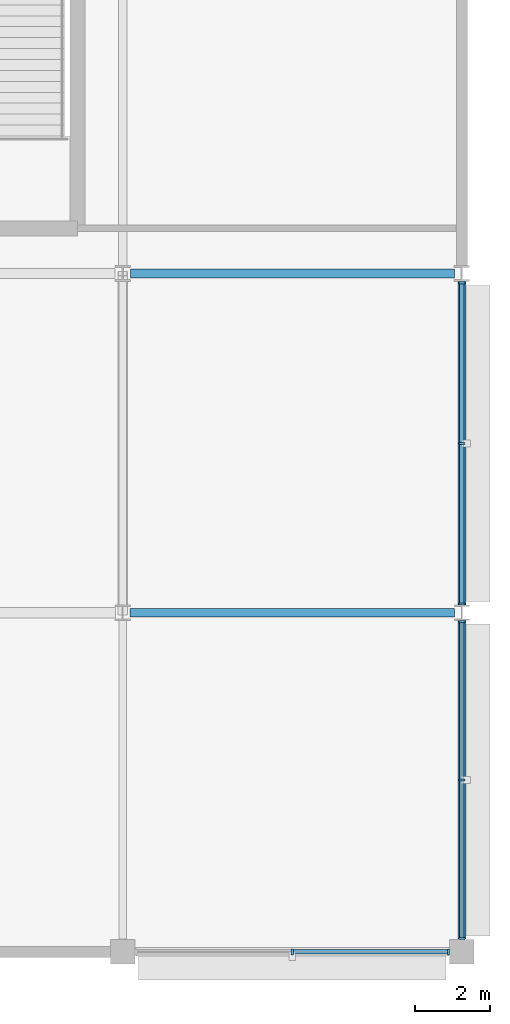
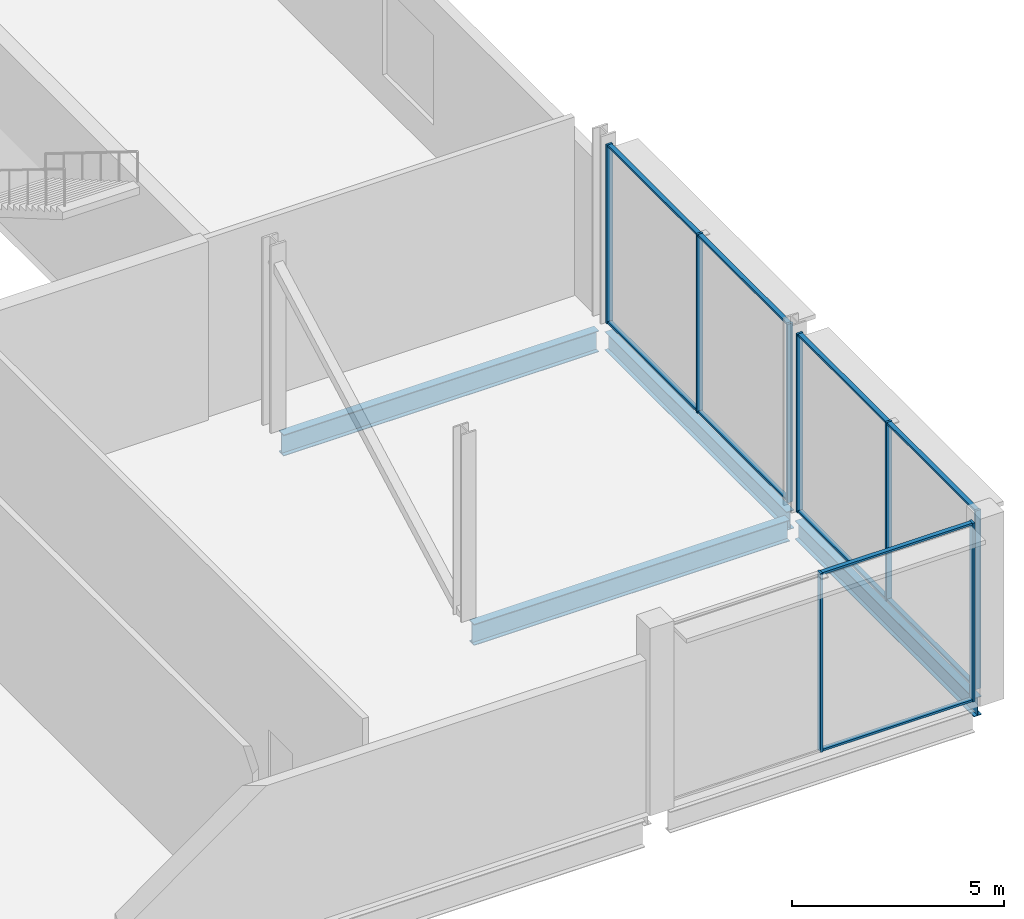
# One storey, part 52 of 113: 18 members, 4 beams, 3 elements without a shape of their own.
"""IFC4 building model written with IfcOpenShell, lengths in metres."""

from ifc_helpers import new_model, si_unit, direction, frame, origin, origin_2d, place, context, subcontext, project, spatial, rectangle, i_section, extrude, material, layer, layer_set, material_profile, profile_set, type_object, element, aggregate, save


model = new_model("IFC4")

# Units and contexts
model_context = context("Model", 3, precision=1e-05, world=origin(), true_north=direction((0.0, 1.0)))
body_context = subcontext(model_context, "Body", "Model", "MODEL_VIEW")
ifc_project = project(units=[si_unit("LENGTHUNIT", "METRE"), si_unit("AREAUNIT", "SQUARE_METRE"), si_unit("VOLUMEUNIT", "CUBIC_METRE"), si_unit("PLANEANGLEUNIT", "RADIAN"), si_unit("MASSUNIT", "GRAM", prefix="KILO")], contexts=[model_context])

# Site, building, storey
site_placement = place(None, origin())
site = spatial("IfcSite", under=ifc_project, at=site_placement, CompositionType="ELEMENT")
building_placement = place(site_placement, origin())
building = spatial("IfcBuilding", under=site, at=building_placement, Name="Kisiwana Market Hall", CompositionType="ELEMENT")
storey_placement = place(building_placement, frame((0.0, 0.0, 6.0)))
storey = spatial("IfcBuildingStorey", under=building, at=storey_placement, Name="L01", CompositionType="ELEMENT", Elevation=6.0)

# Beams
ifc_material_1 = material(Name="Steel S355", Category="steel")
ifc_material_profile_1 = material_profile(ifc_material_1, i_section(OverallWidth=0.209228515625, OverallDepth=0.533203125, WebThickness=0.010009765625, FlangeThickness=0.015625, at=origin_2d()), Name="UB 533x210x92")
ifc_profile_set_1 = profile_set([ifc_material_profile_1], Name="Steel S355")
beam_type_1 = type_object("IfcBeamType", Name="BM-GIRD-UB533", PredefinedType="BEAM", material=ifc_profile_set_1)
beam_1_placement = place(storey_placement, frame((198.0, 0.345947265625, -0.5166015625), z_axis=(0.0, 1.0, 0.0), x_axis=(-1.0, 0.0, 0.0)))
element("IfcBeam", 1, at=beam_1_placement, inside=storey, type_object=beam_type_1, Name="Floor beam B-0571", PredefinedType="BEAM", context=body_context, shape_type="SweptSolid", body=[
    extrude(i_section(OverallWidth=0.209228515625, OverallDepth=0.533203125, WebThickness=0.010009765625, FlangeThickness=0.015625, at=origin_2d()), origin(), (0.0, 0.0, 1.0), 8.454833984375),
])
beam_2_placement = place(storey_placement, frame((198.0, 9.19921875, -0.5166015625), z_axis=(0.0, 1.0, 0.0), x_axis=(-1.0, 0.0, 0.0)))
element("IfcBeam", 2, at=beam_2_placement, inside=storey, type_object=beam_type_1, Name="Floor beam B-0572", PredefinedType="BEAM", context=body_context, shape_type="SweptSolid", body=[
    extrude(i_section(OverallWidth=0.209228515625, OverallDepth=0.533203125, WebThickness=0.010009765625, FlangeThickness=0.015625, at=origin_2d()), origin(), (0.0, 0.0, 1.0), 8.58740234375),
])
ifc_material_2 = material(Name="Steel S355", Category="steel")
ifc_material_profile_2 = material_profile(ifc_material_2, i_section(OverallWidth=0.22900390625, OverallDepth=0.6123046875, WebThickness=0.011962890625, FlangeThickness=0.01953125, at=origin_2d()), Name="UB 610x229x125")
ifc_profile_set_2 = profile_set([ifc_material_profile_2], Name="Steel S355")
beam_type_2 = type_object("IfcBeamType", Name="BM-GIRD-UB610H", PredefinedType="BEAM", material=ifc_profile_set_2)
beam_3_placement = place(storey_placement, frame((189.197509765625, 9.0, -0.55615234375), z_axis=(1.0, 0.0, 0.0), x_axis=(0.0, 1.0, 0.0)))
element("IfcBeam", 3, at=beam_3_placement, inside=storey, type_object=beam_type_2, Name="Floor beam B-0470", PredefinedType="BEAM", context=body_context, shape_type="SweptSolid", body=[
    extrude(i_section(OverallWidth=0.22900390625, OverallDepth=0.6123046875, WebThickness=0.011962890625, FlangeThickness=0.01953125, at=origin_2d()), origin(), (0.0, 0.0, 1.0), 8.60498046875),
])
beam_4_placement = place(storey_placement, frame((189.201904296875, 18.0, -0.55615234375), z_axis=(1.0, 0.0, 0.0), x_axis=(0.0, 1.0, 0.0)))
element("IfcBeam", 4, at=beam_4_placement, inside=storey, type_object=beam_type_2, Name="Floor beam B-0484", PredefinedType="BEAM", context=body_context, shape_type="SweptSolid", body=[
    extrude(i_section(OverallWidth=0.22900390625, OverallDepth=0.6123046875, WebThickness=0.011962890625, FlangeThickness=0.01953125, at=origin_2d()), origin(), (0.0, 0.0, 1.0), 8.59619140625),
])

# Curtain wall, members
ifc_material_3 = material(Name="Double-glazed solar-control low-E IGU", Category="glass")
ifc_layer_1 = layer(ifc_material_3, 0.159912109375)
ifc_layer_set_1 = layer_set([ifc_layer_1], Name="CW-FC-S-7600")
curtain_wall_type_1 = type_object("IfcCurtainWallType", Name="CW-FC-S-7600", PredefinedType="USERDEFINED", material=ifc_layer_set_1)
curtain_wall_1_placement = place(storey_placement, origin())
curtain_wall_1 = element("IfcCurtainWall", 5, at=curtain_wall_1_placement, inside=storey, type_object=curtain_wall_type_1, Name="Unitised curtain wall CW-016 (L01)", ObjectType="UNITISED CURTAIN WALL", PredefinedType="USERDEFINED")
ifc_material_4 = material(Name="Aluminium alloy 6063-T6", Category="aluminium")
ifc_material_profile_3 = material_profile(ifc_material_4, rectangle(XDim=0.06005859375, YDim=0.159912109375, at=origin_2d()), Name="ALU MULLION 60x160")
ifc_profile_set_3 = profile_set([ifc_material_profile_3], Name="Aluminium alloy 6063-T6")
member_type_1 = type_object("IfcMemberType", Name="CW-MULL-60x160", PredefinedType="MULLION", material=ifc_profile_set_3)
member_1_placement = place(storey_placement, frame((193.5, 0.0, 0.0), z_axis=(0.0, 0.0, 1.0), x_axis=(1.0, 0.0, 0.0)))
member_1 = element("IfcMember", 6, at=member_1_placement, type_object=member_type_1, Name="CW-016 mullion 2", PredefinedType="MULLION", context=body_context, shape_type="SweptSolid", body=[
    extrude(rectangle(XDim=0.06005859375, YDim=0.159912109375, at=origin_2d()), origin(), (0.0, 0.0, 1.0), 5.14990234375),
])
member_2_placement = place(storey_placement, frame((197.64501953125, 0.0, 0.0), z_axis=(0.0, 0.0, 1.0), x_axis=(1.0, 0.0, 0.0)))
member_2 = element("IfcMember", 7, at=member_2_placement, type_object=member_type_1, Name="CW-016 mullion 3", PredefinedType="MULLION", context=body_context, shape_type="SweptSolid", body=[
    extrude(rectangle(XDim=0.06005859375, YDim=0.159912109375, at=origin_2d()), origin(), (0.0, 0.0, 1.0), 5.14990234375),
])

ifc_material_5 = material(Name="Double-glazed solar-control low-E IGU", Category="glass")
ifc_layer_2 = layer(ifc_material_5, 0.159912109375)
ifc_layer_set_2 = layer_set([ifc_layer_2], Name="CW-FC-N-8100")
curtain_wall_type_2 = type_object("IfcCurtainWallType", Name="CW-FC-N-8100", PredefinedType="USERDEFINED", material=ifc_layer_set_2)
curtain_wall_2_placement = place(storey_placement, origin())
curtain_wall_2 = element("IfcCurtainWall", 8, at=curtain_wall_2_placement, inside=storey, type_object=curtain_wall_type_2, Name="Unitised curtain wall CW-049 (L01)", ObjectType="UNITISED CURTAIN WALL", PredefinedType="USERDEFINED")
member_3_placement = place(storey_placement, frame((198.0, 0.35498046875, 0.0), z_axis=(0.0, 0.0, 1.0), x_axis=(0.0, 1.0, 0.0)))
member_3 = element("IfcMember", 9, at=member_3_placement, type_object=member_type_1, Name="CW-049 mullion 1", PredefinedType="MULLION", context=body_context, shape_type="SweptSolid", body=[
    extrude(rectangle(XDim=0.06005859375, YDim=0.159912109375, at=origin_2d()), origin(), (0.0, 0.0, 1.0), 5.14990234375),
])
member_4_placement = place(storey_placement, frame((198.0, 4.560791015625, 0.0), z_axis=(0.0, 0.0, 1.0), x_axis=(0.0, 1.0, 0.0)))
member_4 = element("IfcMember", 10, at=member_4_placement, type_object=member_type_1, Name="CW-049 mullion 2", PredefinedType="MULLION", context=body_context, shape_type="SweptSolid", body=[
    extrude(rectangle(XDim=0.06005859375, YDim=0.159912109375, at=origin_2d()), origin(), (0.0, 0.0, 1.0), 5.14990234375),
])
member_5_placement = place(storey_placement, frame((198.0, 8.766845703125, 0.0), z_axis=(0.0, 0.0, 1.0), x_axis=(0.0, 1.0, 0.0)))
member_5 = element("IfcMember", 11, at=member_5_placement, type_object=member_type_1, Name="CW-049 mullion 3", PredefinedType="MULLION", context=body_context, shape_type="SweptSolid", body=[
    extrude(rectangle(XDim=0.06005859375, YDim=0.159912109375, at=origin_2d()), origin(), (0.0, 0.0, 1.0), 5.14990234375),
])

curtain_wall_3_placement = place(storey_placement, origin())
curtain_wall_3 = element("IfcCurtainWall", 12, at=curtain_wall_3_placement, inside=storey, type_object=curtain_wall_type_2, Name="Unitised curtain wall CW-050 (L01)", ObjectType="UNITISED CURTAIN WALL", PredefinedType="USERDEFINED")
member_6_placement = place(storey_placement, frame((198.0, 9.233154296875, 0.0), z_axis=(0.0, 0.0, 1.0), x_axis=(0.0, 1.0, 0.0)))
member_6 = element("IfcMember", 13, at=member_6_placement, type_object=member_type_1, Name="CW-050 mullion 1", PredefinedType="MULLION", context=body_context, shape_type="SweptSolid", body=[
    extrude(rectangle(XDim=0.06005859375, YDim=0.159912109375, at=origin_2d()), origin(), (0.0, 0.0, 1.0), 5.14990234375),
])
member_7_placement = place(storey_placement, frame((198.0, 13.492919921875, 0.0), z_axis=(0.0, 0.0, 1.0), x_axis=(0.0, 1.0, 0.0)))
member_7 = element("IfcMember", 14, at=member_7_placement, type_object=member_type_1, Name="CW-050 mullion 2", PredefinedType="MULLION", context=body_context, shape_type="SweptSolid", body=[
    extrude(rectangle(XDim=0.06005859375, YDim=0.159912109375, at=origin_2d()), origin(), (0.0, 0.0, 1.0), 5.14990234375),
])
member_8_placement = place(storey_placement, frame((198.0, 17.75244140625, 0.0), z_axis=(0.0, 0.0, 1.0), x_axis=(0.0, 1.0, 0.0)))
member_8 = element("IfcMember", 15, at=member_8_placement, type_object=member_type_1, Name="CW-050 mullion 3", PredefinedType="MULLION", context=body_context, shape_type="SweptSolid", body=[
    extrude(rectangle(XDim=0.06005859375, YDim=0.159912109375, at=origin_2d()), origin(), (0.0, 0.0, 1.0), 5.14990234375),
])

# Member
ifc_material_6 = material(Name="Aluminium alloy 6063-T6", Category="aluminium")
ifc_material_profile_4 = material_profile(ifc_material_6, rectangle(XDim=0.1201171875, YDim=0.06005859375, at=origin_2d()), Name="ALU TRANSOM 60x120")
ifc_profile_set_4 = profile_set([ifc_material_profile_4], Name="Aluminium alloy 6063-T6")
member_type_2 = type_object("IfcMemberType", Name="CW-TRAN-60x120", PredefinedType="USERDEFINED", material=ifc_profile_set_4)
member_9_placement = place(storey_placement, frame((193.530029296875, 0.0, 0.030029296875), z_axis=(1.0, 0.0, 0.0), x_axis=(0.0, 1.0, 0.0)))
member_9 = element("IfcMember", 16, at=member_9_placement, type_object=member_type_2, Name="CW-016 transom 2.1", ObjectType="TRANSOM", PredefinedType="USERDEFINED", context=body_context, shape_type="SweptSolid", body=[
    extrude(rectangle(XDim=0.1201171875, YDim=0.06005859375, at=origin_2d()), origin(), (0.0, 0.0, 1.0), 4.0849609375),
])

member_10_placement = place(storey_placement, frame((193.530029296875, 0.0, 5.1201171875), z_axis=(1.0, 0.0, 0.0), x_axis=(0.0, 1.0, 0.0)))
member_10 = element("IfcMember", 17, at=member_10_placement, type_object=member_type_2, Name="CW-016 transom 2.2", ObjectType="TRANSOM", PredefinedType="USERDEFINED", context=body_context, shape_type="SweptSolid", body=[
    extrude(rectangle(XDim=0.1201171875, YDim=0.06005859375, at=origin_2d()), origin(), (0.0, 0.0, 1.0), 4.0849609375),
])

aggregate(curtain_wall_1, [member_1, member_2, member_9, member_10])

member_11_placement = place(storey_placement, frame((198.0, 0.385009765625, 0.030029296875), z_axis=(0.0, 1.0, 0.0), x_axis=(-1.0, 0.0, 0.0)))
member_11 = element("IfcMember", 18, at=member_11_placement, type_object=member_type_2, Name="CW-049 transom 1.1", ObjectType="TRANSOM", PredefinedType="USERDEFINED", context=body_context, shape_type="SweptSolid", body=[
    extrude(rectangle(XDim=0.1201171875, YDim=0.06005859375, at=origin_2d()), origin(), (0.0, 0.0, 1.0), 4.14599609375),
])

member_12_placement = place(storey_placement, frame((198.0, 0.385009765625, 5.1201171875), z_axis=(0.0, 1.0, 0.0), x_axis=(-1.0, 0.0, 0.0)))
member_12 = element("IfcMember", 19, at=member_12_placement, type_object=member_type_2, Name="CW-049 transom 1.2", ObjectType="TRANSOM", PredefinedType="USERDEFINED", context=body_context, shape_type="SweptSolid", body=[
    extrude(rectangle(XDim=0.1201171875, YDim=0.06005859375, at=origin_2d()), origin(), (0.0, 0.0, 1.0), 4.14599609375),
])

member_13_placement = place(storey_placement, frame((198.0, 4.5908203125, 0.030029296875), z_axis=(0.0, 1.0, 0.0), x_axis=(-1.0, 0.0, 0.0)))
member_13 = element("IfcMember", 20, at=member_13_placement, type_object=member_type_2, Name="CW-049 transom 2.1", ObjectType="TRANSOM", PredefinedType="USERDEFINED", context=body_context, shape_type="SweptSolid", body=[
    extrude(rectangle(XDim=0.1201171875, YDim=0.06005859375, at=origin_2d()), origin(), (0.0, 0.0, 1.0), 4.14599609375),
])

member_14_placement = place(storey_placement, frame((198.0, 4.5908203125, 5.1201171875), z_axis=(0.0, 1.0, 0.0), x_axis=(-1.0, 0.0, 0.0)))
member_14 = element("IfcMember", 21, at=member_14_placement, type_object=member_type_2, Name="CW-049 transom 2.2", ObjectType="TRANSOM", PredefinedType="USERDEFINED", context=body_context, shape_type="SweptSolid", body=[
    extrude(rectangle(XDim=0.1201171875, YDim=0.06005859375, at=origin_2d()), origin(), (0.0, 0.0, 1.0), 4.14599609375),
])

aggregate(curtain_wall_2, [member_3, member_4, member_5, member_11, member_12, member_13, member_14])

member_15_placement = place(storey_placement, frame((198.0, 9.26318359375, 0.030029296875), z_axis=(0.0, 1.0, 0.0), x_axis=(-1.0, 0.0, 0.0)))
member_15 = element("IfcMember", 22, at=member_15_placement, type_object=member_type_2, Name="CW-050 transom 1.1", ObjectType="TRANSOM", PredefinedType="USERDEFINED", context=body_context, shape_type="SweptSolid", body=[
    extrude(rectangle(XDim=0.1201171875, YDim=0.06005859375, at=origin_2d()), origin(), (0.0, 0.0, 1.0), 4.19970703125),
])

member_16_placement = place(storey_placement, frame((198.0, 9.26318359375, 5.1201171875), z_axis=(0.0, 1.0, 0.0), x_axis=(-1.0, 0.0, 0.0)))
member_16 = element("IfcMember", 23, at=member_16_placement, type_object=member_type_2, Name="CW-050 transom 1.2", ObjectType="TRANSOM", PredefinedType="USERDEFINED", context=body_context, shape_type="SweptSolid", body=[
    extrude(rectangle(XDim=0.1201171875, YDim=0.06005859375, at=origin_2d()), origin(), (0.0, 0.0, 1.0), 4.19970703125),
])

member_17_placement = place(storey_placement, frame((198.0, 13.52294921875, 0.030029296875), z_axis=(0.0, 1.0, 0.0), x_axis=(-1.0, 0.0, 0.0)))
member_17 = element("IfcMember", 24, at=member_17_placement, type_object=member_type_2, Name="CW-050 transom 2.1", ObjectType="TRANSOM", PredefinedType="USERDEFINED", context=body_context, shape_type="SweptSolid", body=[
    extrude(rectangle(XDim=0.1201171875, YDim=0.06005859375, at=origin_2d()), origin(), (0.0, 0.0, 1.0), 4.199462890625),
])

member_18_placement = place(storey_placement, frame((198.0, 13.52294921875, 5.1201171875), z_axis=(0.0, 1.0, 0.0), x_axis=(-1.0, 0.0, 0.0)))
member_18 = element("IfcMember", 25, at=member_18_placement, type_object=member_type_2, Name="CW-050 transom 2.2", ObjectType="TRANSOM", PredefinedType="USERDEFINED", context=body_context, shape_type="SweptSolid", body=[
    extrude(rectangle(XDim=0.1201171875, YDim=0.06005859375, at=origin_2d()), origin(), (0.0, 0.0, 1.0), 4.199462890625),
])

aggregate(curtain_wall_3, [member_6, member_7, member_8, member_15, member_16, member_17, member_18])

save(model, "model.ifc")
